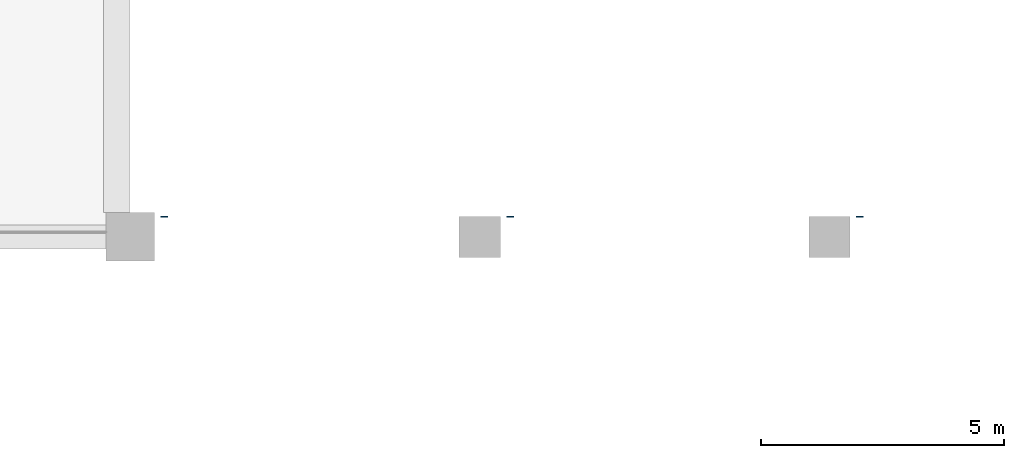
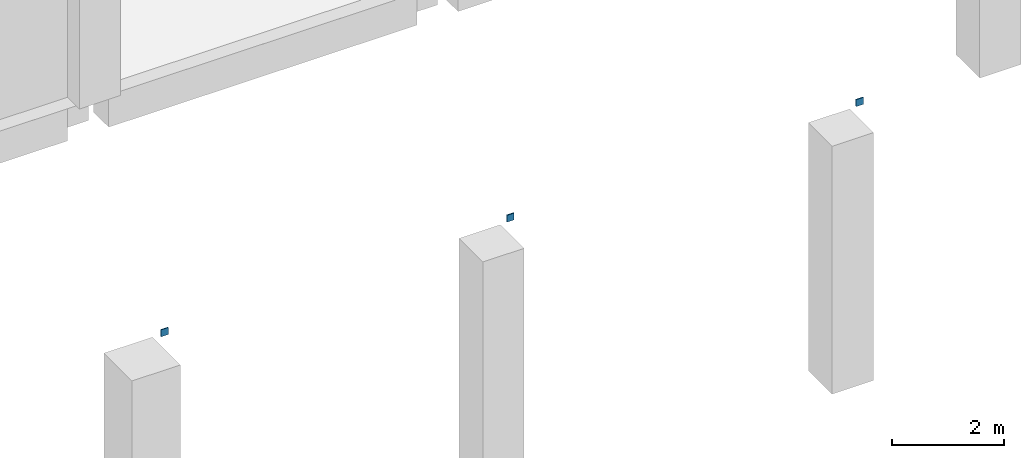
# One storey, part 40 of 48: 3 discrete accessories.
"""IFC4 building model written with IfcOpenShell, lengths in metres."""

from ifc_helpers import new_model, si_unit, direction, frame, origin, origin_2d, place, context, subcontext, project, spatial, rectangle, extrude, material, element, save


model = new_model("IFC4")

# Units and contexts
model_context = context("Model", 3, precision=1e-05, world=origin(), true_north=direction((0.0, 1.0)))
body_context = subcontext(model_context, "Body", "Model", "MODEL_VIEW")
ifc_project = project(units=[si_unit("LENGTHUNIT", "METRE"), si_unit("AREAUNIT", "SQUARE_METRE"), si_unit("VOLUMEUNIT", "CUBIC_METRE"), si_unit("PLANEANGLEUNIT", "RADIAN"), si_unit("MASSUNIT", "GRAM", prefix="KILO")], contexts=[model_context])

# Site, building, storey
site_placement = place(None, origin())
site = spatial("IfcSite", under=ifc_project, at=site_placement, CompositionType="ELEMENT")
building_placement = place(site_placement, origin())
building = spatial("IfcBuilding", under=site, at=building_placement, Name="Silangan Lancet Faculty of Sciences", CompositionType="ELEMENT")
storey_placement = place(building_placement, frame((0.0, 0.0, 6.0)))
storey = spatial("IfcBuildingStorey", under=building, at=storey_placement, Name="L01", CompositionType="ELEMENT", Elevation=6.0)

# Discrete accessories
ifc_material = material(Name="Steel STKR400", Category="steel")
for number, where, z_axis, x_axis, name in (
    (1, (29.5, 36.4150390625, 5.420166015625), (0.0, 0.0, 1.0), (1.0, 0.0, 0.0), "Truss 1 bottom chord cap"),
    (2, (36.625, 36.4150390625, 5.420166015625), (0.0, 0.0, 1.0), (1.0, 0.0, 0.0), "Truss 2 bottom chord cap"),
    (3, (43.824951171875, 36.4150390625, 5.420166015625), (0.0, 0.0, 1.0), (1.0, 0.0, 0.0), "Truss 3 bottom chord cap"),
):
    element("IfcDiscreteAccessory", number, at=place(storey_placement, frame(where, z_axis=z_axis, x_axis=x_axis)), inside=storey, material=ifc_material, Name=name, ObjectType="END CAP", PredefinedType="USERDEFINED", context=body_context, shape_type="SweptSolid", body=[
        extrude(rectangle(XDim=0.14990234375, YDim=0.02001953125, at=origin_2d()), origin(), (0.0, 0.0, 1.0), 0.14990234375),
    ])

save(model, "model.ifc")
